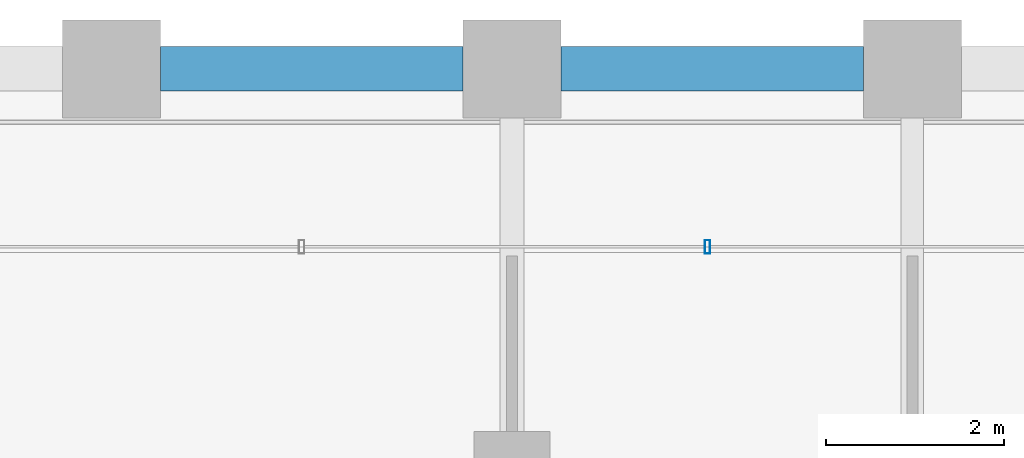
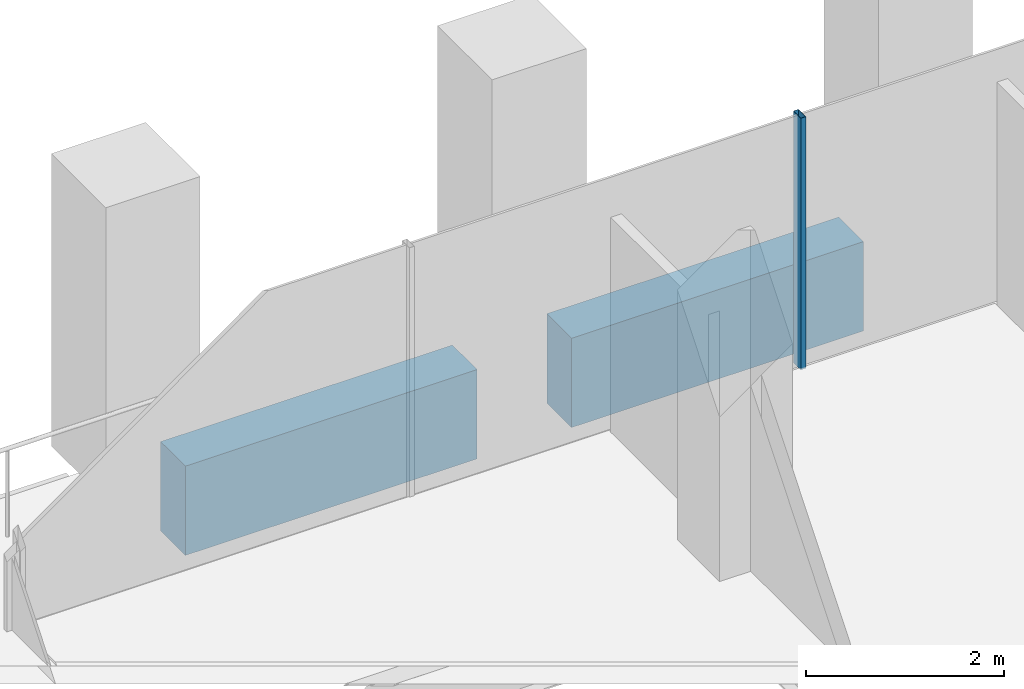
# One storey, part 27 of 56: 2 beams, 1 member, 1 element without a shape of its own.
"""IFC4 building model written with IfcOpenShell, lengths in metres."""

from ifc_helpers import new_model, si_unit, direction, frame, origin, origin_2d, place, context, subcontext, project, spatial, rectangle, hollow_rectangle, extrude, material, material_profile, profile_set, type_object, element, aggregate, save


model = new_model("IFC4")

# Units and contexts
model_context = context("Model", 3, precision=1e-05, world=origin(), true_north=direction((0.0, 1.0)))
body_context = subcontext(model_context, "Body", "Model", "MODEL_VIEW")
ifc_project = project(units=[si_unit("LENGTHUNIT", "METRE"), si_unit("AREAUNIT", "SQUARE_METRE"), si_unit("VOLUMEUNIT", "CUBIC_METRE"), si_unit("PLANEANGLEUNIT", "RADIAN"), si_unit("MASSUNIT", "GRAM", prefix="KILO")], contexts=[model_context])

# Site, building, storey
site_placement = place(None, origin())
site = spatial("IfcSite", under=ifc_project, at=site_placement, CompositionType="ELEMENT")
building_placement = place(site_placement, origin())
building = spatial("IfcBuilding", under=site, at=building_placement, Name="Altepetl Exchange Towers", CompositionType="ELEMENT")
storey_placement = place(building_placement, frame((0.0, 0.0, 54.60009765625)))
storey = spatial("IfcBuildingStorey", under=building, at=storey_placement, Name="L12", CompositionType="ELEMENT", Elevation=54.60009765625)

# Curtain wall, member
ifc_material_1 = material(Name="Aluminium 6063-T6 glazing", Category="aluminium")
curtain_wall_type = type_object("IfcCurtainWallType", Name="Loggia glazing system", PredefinedType="NOTDEFINED", material=ifc_material_1)
curtain_wall_placement = place(storey_placement, origin())
curtain_wall = element("IfcCurtainWall", 1, at=curtain_wall_placement, inside=storey, type_object=curtain_wall_type, Name="CW1 run", PredefinedType="NOTDEFINED")
ifc_material_2 = material(Name="Aluminium 6063-T6", Category="aluminium")
ifc_material_profile_1 = material_profile(ifc_material_2, hollow_rectangle(XDim=0.06005859375, YDim=0.14990234375, WallThickness=0.0029296875, at=origin_2d()), Name="Mullion 60x150 aluminium")
ifc_profile_set_1 = profile_set([ifc_material_profile_1], Name="Aluminium 6063-T6")
member_type = type_object("IfcMemberType", Name="Mullion 60x150 aluminium", PredefinedType="MULLION", material=ifc_profile_set_1)
member_placement = place(storey_placement, frame((42.696533203125, 70.0, 0.0), z_axis=(0.0, 0.0, 1.0), x_axis=(-1.0, 0.0, 0.0)))
member = element("IfcMember", 2, at=member_placement, type_object=member_type, Name="MU1 mullion", PredefinedType="MULLION", context=body_context, shape_type="SweptSolid", body=[
    extrude(hollow_rectangle(XDim=0.06005859375, YDim=0.14990234375, WallThickness=0.0029296875, at=origin_2d()), origin(), (0.0, 0.0, 1.0), 3.099853515625),
])
aggregate(curtain_wall, [member])

# Beams
ifc_material_3 = material(Name="Concrete C50/60 precast with cantera rosa facing", Category="concrete")
ifc_material_profile_2 = material_profile(ifc_material_3, rectangle(XDim=0.5, YDim=1.10009765625, at=origin_2d()), Name="500 x 1100")
ifc_profile_set_2 = profile_set([ifc_material_profile_2], Name="Concrete C50/60 precast with cantera rosa facing")
beam_type_1 = type_object("IfcBeamType", Name="Spandrel beam 500x1100 cantera rosa", PredefinedType="SPANDREL", material=ifc_profile_set_2)
beam_1_placement = place(storey_placement, frame((44.449951171875, 72.0, -0.7001953125), z_axis=(-1.0, 0.0, 0.0), x_axis=(0.0, -1.0, 0.0)))
element("IfcBeam", 3, at=beam_1_placement, inside=storey, type_object=beam_type_1, Name="sp:A:L12:029", PredefinedType="SPANDREL", context=body_context, shape_type="SweptSolid", body=[
    extrude(rectangle(XDim=0.5, YDim=1.10009765625, at=origin_2d()), origin(), (0.0, 0.0, 1.0), 3.39990234375),
])
ifc_material_4 = material(Name="Concrete C50/60 precast with tezontle facing", Category="concrete")
ifc_material_profile_3 = material_profile(ifc_material_4, rectangle(XDim=0.5, YDim=1.10009765625, at=origin_2d()), Name="500 x 1100")
ifc_profile_set_3 = profile_set([ifc_material_profile_3], Name="Concrete C50/60 precast with tezontle facing")
beam_type_2 = type_object("IfcBeamType", Name="Spandrel beam 500x1100 tezontle", PredefinedType="SPANDREL", material=ifc_profile_set_3)
beam_2_placement = place(storey_placement, frame((39.949951171875, 72.0, -0.7001953125), z_axis=(-1.0, 0.0, 0.0), x_axis=(0.0, -1.0, 0.0)))
element("IfcBeam", 4, at=beam_2_placement, inside=storey, type_object=beam_type_2, Name="sp:A:L12:030", PredefinedType="SPANDREL", context=body_context, shape_type="SweptSolid", body=[
    extrude(rectangle(XDim=0.5, YDim=1.10009765625, at=origin_2d()), origin(), (0.0, 0.0, 1.0), 3.39990234375),
])

save(model, "model.ifc")
